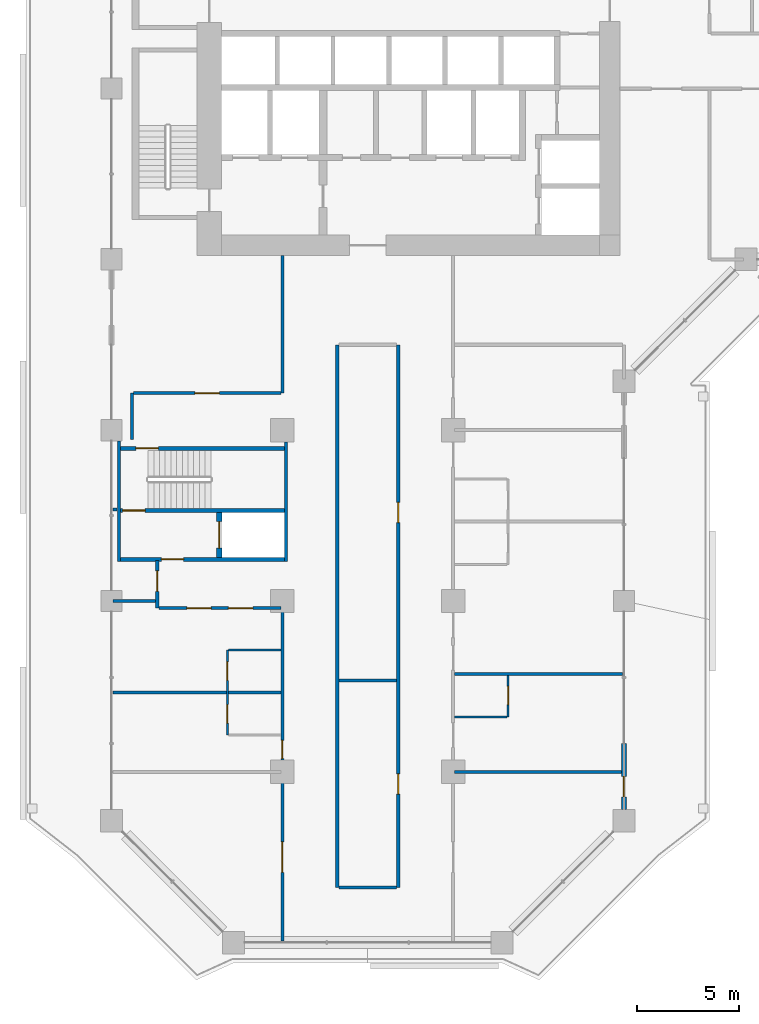
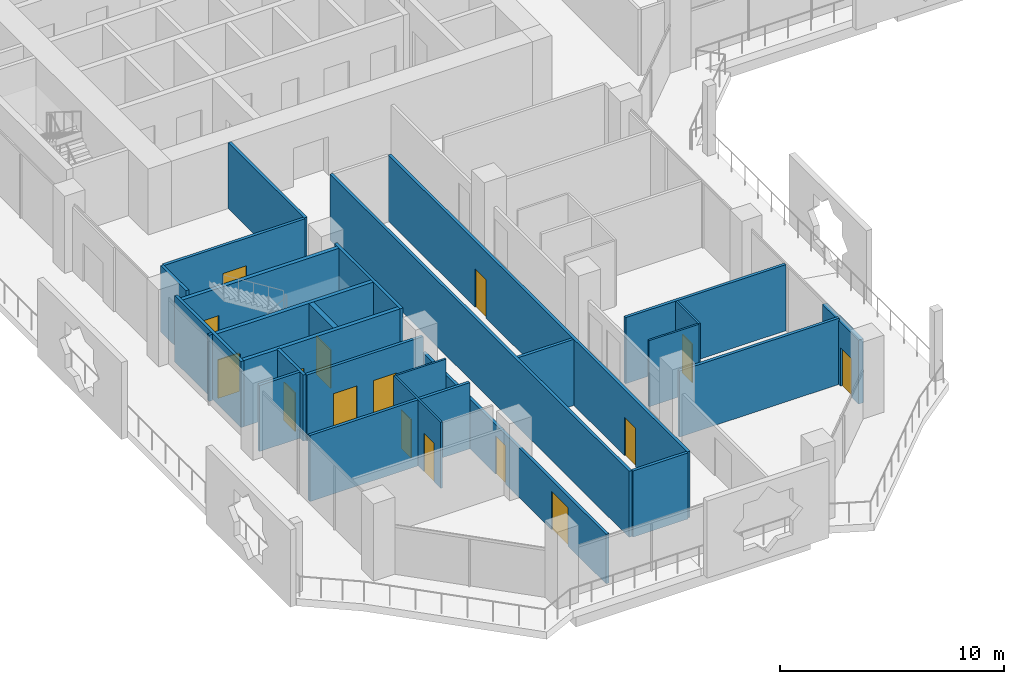
# One storey, part 13 of 25: 26 walls, 16 doors, 16 openings.
"""IFC4 building model written with IfcOpenShell, lengths in metres."""

import ifcopenshell
import ifcopenshell.guid

model = None  # the IFC model being written
_history = None  # IfcOwnerHistory: only IFC2X3 demands one
_inside = {}  # id of a spatial element -> (the spatial element, [elements in it])
_under = {}  # id of a project, library or spatial element -> (it, [spatial elements below it])
_declared = {}  # id of a project -> (the project, [libraries it declares])
_typed = {}  # id of a type object -> (the type object, [elements of that type])
_made_of = {}  # id of a material, layer set ... -> (it, [elements and type objects made of it])


def new_model(schema):
    """Start an empty IFC model of exactly this schema.

    Asked for "IFC4X3", IfcOpenShell would pick the latest addendum, in which some entities
    have other attributes; the version numbers below select the first issue.
    IFC2X3 requires an IfcOwnerHistory on every rooted entity: one is made here for all.
    """
    global model, _history
    if schema == "IFC4X3":
        model = ifcopenshell.file(schema_version=(4, 3, 0, 0))
    else:
        model = ifcopenshell.file(schema=schema)
    _inside.clear()
    _under.clear()
    _declared.clear()
    _typed.clear()
    _made_of.clear()
    _history = None
    if model.schema == "IFC2X3":
        org = make("IfcOrganization", Name="unknown")
        user = make(
            "IfcPersonAndOrganization",
            ThePerson=make("IfcPerson", FamilyName="unknown"),
            TheOrganization=org,
        )
        app = make(
            "IfcApplication",
            ApplicationDeveloper=org,
            Version="unknown",
            ApplicationFullName="unknown",
            ApplicationIdentifier="unknown",
        )
        _history = make(
            "IfcOwnerHistory",
            OwningUser=user,
            OwningApplication=app,
            ChangeAction="ADDED",
            CreationDate=0,
        )
    return model


def make(cls, **values):
    """One entity of the class cls with the attributes given. An attribute that is None is left unset."""
    return model.create_entity(
        cls, **{name: value for name, value in values.items() if value is not None}
    )


def rooted(cls, **values):
    """An entity with a GlobalId (a new one), such as an element, a storey or a relation."""
    return make(cls, GlobalId=ifcopenshell.guid.new(), OwnerHistory=_history, **values)


def si_unit(unit_type, name, prefix=None):
    """IfcSIUnit, for example si_unit("LENGTHUNIT", "METRE", prefix="MILLI")."""
    return make("IfcSIUnit", UnitType=unit_type, Prefix=prefix, Name=name)


def assignment(units):
    """IfcUnitAssignment: the units of a project."""
    return None if units is None else make("IfcUnitAssignment", Units=units)


def point(xyz):
    """IfcCartesianPoint."""
    return None if xyz is None else make("IfcCartesianPoint", Coordinates=xyz)


def direction(xyz):
    """IfcDirection."""
    return None if xyz is None else make("IfcDirection", DirectionRatios=xyz)


def frame(location, z_axis=None, x_axis=None):
    """IfcAxis2Placement3D, a coordinate frame: its origin and axes. An axis left out is left unset."""
    return make(
        "IfcAxis2Placement3D",
        Location=point(location),
        Axis=direction(z_axis),
        RefDirection=direction(x_axis),
    )


def frame_2d(location, x_axis=None):
    """IfcAxis2Placement2D, a coordinate frame in the plane: its origin and x axis."""
    return make(
        "IfcAxis2Placement2D", Location=point(location), RefDirection=direction(x_axis)
    )


def origin():
    """The frame at (0, 0, 0) with its axes left unset."""
    return frame((0.0, 0.0, 0.0))


def place(relative_to, where):
    """IfcLocalPlacement: puts the frame where relative to a parent placement (None: the world)."""
    return make(
        "IfcLocalPlacement", PlacementRelTo=relative_to, RelativePlacement=where
    )


def context(
    kind, dimensions, precision=None, world=None, true_north=None, identifier=None
):
    """IfcGeometricRepresentationContext, for example the 3D "Model" context."""
    return make(
        "IfcGeometricRepresentationContext",
        ContextIdentifier=identifier,
        ContextType=kind,
        CoordinateSpaceDimension=dimensions,
        Precision=precision,
        WorldCoordinateSystem=world,
        TrueNorth=true_north,
    )


def subcontext(parent, identifier, kind, view, scale=None):
    """IfcGeometricRepresentationSubContext, for example "Body" below "Model"."""
    return make(
        "IfcGeometricRepresentationSubContext",
        ContextIdentifier=identifier,
        ContextType=kind,
        ParentContext=parent,
        TargetScale=scale,
        TargetView=view,
    )


def project(units=None, contexts=None):
    """IfcProject with its units and contexts."""
    return rooted(
        "IfcProject",
        Name="project",
        RepresentationContexts=contexts,
        UnitsInContext=assignment(units),
    )


def spatial(cls, under=None, at=None, **own):
    """A site, building, storey or space (cls), placed at a placement, below another one or the project."""
    s = rooted(cls, ObjectPlacement=at, **own)
    if under is not None:
        _under.setdefault(under.id(), (under, []))[1].append(s)
    return s


def profile(cls, at=None, kind="AREA", **sizes):
    """A parametric profile (cls). Its sizes go by their IFC names, for example OverallWidth=200.0."""
    return make(cls, ProfileType=kind, Position=at, **sizes)


def rectangle(**sizes):
    """IfcRectangleProfileDef."""
    return profile("IfcRectangleProfileDef", **sizes)


def extrude(swept, where, along, depth):
    """IfcExtrudedAreaSolid: the profile swept, set in the frame where, extruded along a direction by depth."""
    return make(
        "IfcExtrudedAreaSolid",
        SweptArea=swept,
        Position=where,
        ExtrudedDirection=direction(along),
        Depth=depth,
    )


def shape(context_of_items, identifier, shape_type, items):
    """IfcShapeRepresentation: the items that make up one representation, for example the "Body"."""
    return make(
        "IfcShapeRepresentation",
        ContextOfItems=context_of_items,
        RepresentationIdentifier=identifier,
        RepresentationType=shape_type,
        Items=items,
    )


def material(Name=None, Category=None):
    """IfcMaterial."""
    return make("IfcMaterial", Name=Name, Category=Category)


def layer(
    of_material, thickness, ventilated=None, Name=None, Category=None, Priority=None
):
    """IfcMaterialLayer: one layer of a wall or slab, of a material (None: an air gap)."""
    return make(
        "IfcMaterialLayer",
        Material=of_material,
        LayerThickness=thickness,
        IsVentilated=ventilated,
        Name=Name,
        Category=Category,
        Priority=Priority,
    )


def layer_set(layers, Name=None):
    """IfcMaterialLayerSet."""
    return make("IfcMaterialLayerSet", MaterialLayers=layers, LayerSetName=Name)


def made_of(thing, what):
    """Note that an element or type object is made of a material, layer set ...; save() writes the relation."""
    if what is not None:
        _made_of.setdefault(what.id(), (what, []))[1].append(thing)
    return thing


def type_object(cls, material=None, **own):
    """A type object (cls), such as IfcWallType, which elements share."""
    return made_of(rooted(cls, **own), material)


def element(
    cls,
    number,
    at=None,
    inside=None,
    cuts=None,
    type_object=None,
    material=None,
    context=None,
    identifier="Body",
    shape_type=None,
    held_by="IfcProductDefinitionShape",
    body=None,
    shapes=None,
    **own,
):
    """One element of the class cls, such as IfcWall. Its Tag is "e" and its number.

    at: its placement. inside: the storey or other place that contains it. cuts: it is an
    opening in that element (IfcRelVoidsElement). A single representation is given by context,
    identifier, shape_type and body (its items); several are given by shapes. held_by: the class
    of the entity that holds the representations. save() writes the other relations.
    """
    e = rooted(cls, Tag="e%d" % number, ObjectPlacement=at, **own)
    if body is not None:
        shapes = [shape(context, identifier, shape_type, body)]
    if shapes is not None:
        e.Representation = make(held_by, Representations=shapes)
    if inside is not None:
        _inside.setdefault(inside.id(), (inside, []))[1].append(e)
    if cuts is not None:
        rooted(
            "IfcRelVoidsElement", RelatingBuildingElement=cuts, RelatedOpeningElement=e
        )
    if type_object is not None:
        _typed.setdefault(type_object.id(), (type_object, []))[1].append(e)
    return made_of(e, material)


def fill(opening, filler):
    """IfcRelFillsElement: the door or window that sits in an opening."""
    return rooted(
        "IfcRelFillsElement",
        RelatingOpeningElement=opening,
        RelatedBuildingElement=filler,
    )


def aggregate(whole, parts):
    """IfcRelAggregates: a whole, such as a stair, and the parts it consists of."""
    return rooted("IfcRelAggregates", RelatingObject=whole, RelatedObjects=parts)


def save(model, path):
    """Write the relations noted so far, then the file.

    IfcRelAggregates (storeys below a building ...), IfcRelContainedInSpatialStructure (elements
    in a storey), IfcRelDefinesByType, IfcRelAssociatesMaterial and IfcRelDeclares: one each for
    every whole, place, type object, material and project.
    """
    for whole, parts in _under.values():
        aggregate(whole, parts)
    for where, things in _inside.values():
        rooted(
            "IfcRelContainedInSpatialStructure",
            RelatedElements=things,
            RelatingStructure=where,
        )
    for kind, things in _typed.values():
        rooted("IfcRelDefinesByType", RelatedObjects=things, RelatingType=kind)
    for what, things in _made_of.values():
        rooted("IfcRelAssociatesMaterial", RelatedObjects=things, RelatingMaterial=what)
    for by, libraries in _declared.values():
        rooted("IfcRelDeclares", RelatingContext=by, RelatedDefinitions=libraries)
    model.write(path)


model = new_model("IFC4")

# Units and contexts
model_context = context("Model", 3, precision=1e-05, world=origin(), true_north=direction((0.0, 1.0)))
body_context = subcontext(model_context, "Body", "Model", "MODEL_VIEW")
ifc_project = project(units=[si_unit("LENGTHUNIT", "METRE"), si_unit("AREAUNIT", "SQUARE_METRE"), si_unit("VOLUMEUNIT", "CUBIC_METRE"), si_unit("PLANEANGLEUNIT", "RADIAN"), si_unit("MASSUNIT", "GRAM", prefix="KILO")], contexts=[model_context])

# Site, building, storey
site_placement = place(None, origin())
site = spatial("IfcSite", under=ifc_project, at=site_placement, CompositionType="ELEMENT")
building_placement = place(site_placement, origin())
building = spatial("IfcBuilding", under=site, at=building_placement, Name="Kawkab Arch Medical Tower", CompositionType="ELEMENT")
storey_placement = place(building_placement, frame((0.0, 0.0, 111.39990234375)))
storey = spatial("IfcBuildingStorey", under=building, at=storey_placement, Name="L25", CompositionType="ELEMENT", Elevation=111.39990234375)

# Wall, opening, door
ifc_material_1 = material(Name="Concrete C60/75", Category="concrete")
ifc_layer_1 = layer(ifc_material_1, 0.25)
ifc_layer_set_1 = layer_set([ifc_layer_1], Name="Concrete C60/75")
wall_type_1 = type_object("IfcWallType", Name="Core shear wall 250 C60/75", PredefinedType="SHEAR", material=ifc_layer_set_1)
wall_1_placement = place(storey_placement, frame((5.300048828125, -39.85009765625, 0.0), z_axis=(0.0, 0.0, 1.0), x_axis=(0.0, 1.0, 0.0)))
wall_1 = element("IfcWall", 1, at=wall_1_placement, inside=storey, type_object=wall_type_1, Name="L25 core shear wall", PredefinedType="SHEAR", context=body_context, shape_type="SweptSolid", body=[
    extrude(rectangle(XDim=2.2001953125, YDim=0.25, at=frame_2d((1.10009765625, 0.0))), origin(), (0.0, 0.0, 1.0), 3.60009765625),
])
opening_1_placement = place(wall_1_placement, frame((0.449951171875, 0.0, 0.0)))
opening_1 = element("IfcOpeningElement", 2, at=opening_1_placement, cuts=wall_1, Name="Opening LD2", PredefinedType="OPENING", context=body_context, shape_type="SweptSolid", body=[
    extrude(rectangle(XDim=1.300048828125, YDim=2.10009765625, at=frame_2d((0.64990234375, 1.050048828125))), frame((0.0, 0.135009765625, 0.0), z_axis=(0.0, -1.0, 0.0), x_axis=(1.0, 0.0, 0.0)), (0.0, 0.0, 1.0), 0.27001953125),
])
ifc_material_2 = material(Name="Stainless steel lift door leaf", Category="steel")
door_type_1 = type_object("IfcDoorType", Name="Lift landing door 1300", OperationType="DOUBLE_DOOR_SLIDING", PredefinedType="DOOR", material=ifc_material_2)
door_1_placement = place(opening_1_placement, origin())
door_1 = element("IfcDoor", 3, at=door_1_placement, inside=storey, type_object=door_type_1, Name="L25 Lift landing door SV2", OperationType="DOUBLE_DOOR_SLIDING", OverallHeight=2.10009765625, OverallWidth=1.300048828125, PredefinedType="DOOR", context=body_context, shape_type="SweptSolid", body=[
    extrude(rectangle(XDim=1.300048828125, YDim=2.10009765625, at=frame_2d((0.64990234375, 1.050048828125))), frame((0.0, 0.02490234375, 0.0), z_axis=(0.0, -1.0, 0.0), x_axis=(1.0, 0.0, 0.0)), (0.0, 0.0, 1.0), 0.050048828125),
])
fill(opening_1, door_1)

ifc_material_3 = material(Name="Bronze clad insulated wall panel")
ifc_layer_2 = layer(ifc_material_3, 0.25)
ifc_layer_set_2 = layer_set([ifc_layer_2], Name="Bronze clad insulated wall panel")
wall_type_2 = type_object("IfcWallType", Name="External wall bay 250", PredefinedType="SOLIDWALL", material=ifc_layer_set_2)
wall_2_placement = place(storey_placement, frame((25.199951171875, -52.25, 0.0), z_axis=(0.0, 0.0, 1.0), x_axis=(0.0, 1.0, 0.0)))
wall_2 = element("IfcWall", 4, at=wall_2_placement, inside=storey, type_object=wall_type_2, Name="External wall bay L25.R05.1.1", PredefinedType="SOLIDWALL", context=body_context, shape_type="SweptSolid", body=[
    extrude(rectangle(XDim=3.24169921875, YDim=0.25, at=frame_2d((1.620849609375, 0.0))), origin(), (0.0, 0.0, 1.0), 3.47998046875),
])
opening_2_placement = place(wall_2_placement, frame((0.620849609375, 0.0, 0.0)))
opening_2 = element("IfcOpeningElement", 5, at=opening_2_placement, cuts=wall_2, Name="Opening W25-702", PredefinedType="OPENING", context=body_context, shape_type="SweptSolid", body=[
    extrude(rectangle(XDim=1.0, YDim=2.10009765625, at=frame_2d((0.5, 1.050048828125))), frame((0.0, 0.135009765625, 0.0), z_axis=(0.0, -1.0, 0.0), x_axis=(1.0, 0.0, 0.0)), (0.0, 0.0, 1.0), 0.27001953125),
])
ifc_material_4 = material(Name="Bronze anodised aluminium door with tinted glass", Category="aluminium")
door_type_2 = type_object("IfcDoorType", Name="Single external door 1000 x 2100", OperationType="SINGLE_SWING_LEFT", PredefinedType="DOOR", material=ifc_material_4)
door_2_placement = place(opening_2_placement, origin())
door_2 = element("IfcDoor", 6, at=door_2_placement, inside=storey, type_object=door_type_2, Name="External door L25.R05.1.1", OperationType="SINGLE_SWING_LEFT", OverallHeight=2.10009765625, OverallWidth=1.0, PredefinedType="DOOR", context=body_context, shape_type="SweptSolid", body=[
    extrude(rectangle(XDim=1.0, YDim=2.10009765625, at=frame_2d((0.5, 1.050048828125))), frame((0.0, 0.02490234375, 0.0), z_axis=(0.0, -1.0, 0.0), x_axis=(1.0, 0.0, 0.0)), (0.0, 0.0, 1.0), 0.050048828125),
])
fill(opening_2, door_2)

# Walls
ifc_material_5 = material(Name="Gypsum board partition on steel studs", Category="steel")
ifc_layer_3 = layer(ifc_material_5, 0.10009765625)
ifc_layer_set_3 = layer_set([ifc_layer_3], Name="Gypsum board partition on steel studs")
wall_type_3 = type_object("IfcWallType", Name="Partition 100", PredefinedType="PARTITIONING", material=ifc_layer_set_3)
for number, where, z_axis, x_axis, name in (
    (7, (16.875, -47.699951171875, 0.0), (0.0, 0.0, 1.0), (1.0, 0.0, 0.0), "Partition 100 w002"),
    (8, (5.75, -44.39990234375, 0.0), (0.0, 0.0, 1.0), (1.0, 0.0, 0.0), "Partition 100 w003"),
):
    element("IfcWall", number, at=place(storey_placement, frame(where, z_axis=z_axis, x_axis=x_axis)), inside=storey, type_object=wall_type_3, Name=name, PredefinedType="PARTITIONING", context=body_context, shape_type="SweptSolid", body=[
        extrude(rectangle(XDim=2.574951171875, YDim=0.10009765625, at=frame_2d((1.28759765625, 0.0))), origin(), (0.0, 0.0, 1.0), 3.60009765625),
    ])

# Wall, openings, doors
wall_3_placement = place(storey_placement, frame((5.699951171875, -48.60009765625, 0.0), z_axis=(0.0, 0.0, 1.0), x_axis=(0.0, 1.0, 0.0)))
wall_3 = element("IfcWall", 9, at=wall_3_placement, inside=storey, type_object=wall_type_3, Name="Partition 100 w015", PredefinedType="PARTITIONING", context=body_context, shape_type="SweptSolid", body=[
    extrude(rectangle(XDim=4.2001953125, YDim=0.10009765625, at=frame_2d((2.10009765625, 0.0))), origin(), (0.0, 0.0, 1.0), 3.60009765625),
])
opening_3_placement = place(wall_3_placement, frame((2.699951171875, 0.0, 0.0)))
opening_3 = element("IfcOpeningElement", 10, at=opening_3_placement, cuts=wall_3, Name="Opening W25-016", PredefinedType="OPENING", context=body_context, shape_type="SweptSolid", body=[
    extrude(rectangle(XDim=0.89990234375, YDim=2.10009765625, at=frame_2d((0.449951171875, 1.050048828125))), frame((0.0, 0.06005859375, 0.0), z_axis=(0.0, -1.0, 0.0), x_axis=(1.0, 0.0, 0.0)), (0.0, 0.0, 1.0), 0.1201171875),
])
opening_4_placement = place(wall_3_placement, frame((0.60009765625, 0.0, 0.0)))
opening_4 = element("IfcOpeningElement", 11, at=opening_4_placement, cuts=wall_3, Name="Opening W25-017", PredefinedType="OPENING", context=body_context, shape_type="SweptSolid", body=[
    extrude(rectangle(XDim=0.89990234375, YDim=2.10009765625, at=frame_2d((0.449951171875, 1.050048828125))), frame((0.0, 0.06005859375, 0.0), z_axis=(0.0, -1.0, 0.0), x_axis=(1.0, 0.0, 0.0)), (0.0, 0.0, 1.0), 0.1201171875),
])
ifc_material_6 = material(Name="Timber door leaf", Category="wood")
door_type_3 = type_object("IfcDoorType", Name="Single door 900x2100", OperationType="NOTDEFINED", PredefinedType="DOOR", material=ifc_material_6)
door_3_placement = place(opening_3_placement, origin())
door_3 = element("IfcDoor", 12, at=door_3_placement, inside=storey, type_object=door_type_3, Name="Door W25-016", OperationType="SINGLE_SWING_RIGHT", OverallHeight=2.10009765625, OverallWidth=0.89990234375, PredefinedType="DOOR", context=body_context, shape_type="SweptSolid", body=[
    extrude(rectangle(XDim=0.89990234375, YDim=2.10009765625, at=frame_2d((0.449951171875, 1.050048828125))), frame((0.0, 0.02490234375, 0.0), z_axis=(0.0, -1.0, 0.0), x_axis=(1.0, 0.0, 0.0)), (0.0, 0.0, 1.0), 0.050048828125),
])
fill(opening_3, door_3)
door_4_placement = place(opening_4_placement, origin())
door_4 = element("IfcDoor", 13, at=door_4_placement, inside=storey, type_object=door_type_3, Name="Door W25-017", OperationType="SINGLE_SWING_LEFT", OverallHeight=2.10009765625, OverallWidth=0.89990234375, PredefinedType="DOOR", context=body_context, shape_type="SweptSolid", body=[
    extrude(rectangle(XDim=0.89990234375, YDim=2.10009765625, at=frame_2d((0.449951171875, 1.050048828125))), frame((0.0, 0.02490234375, 0.0), z_axis=(0.0, -1.0, 0.0), x_axis=(1.0, 0.0, 0.0)), (0.0, 0.0, 1.0), 0.050048828125),
])
fill(opening_4, door_4)

# Wall, opening, door
wall_4_placement = place(storey_placement, frame((19.5, -47.699951171875, 0.0), z_axis=(0.0, 0.0, 1.0), x_axis=(0.0, 1.0, 0.0)))
wall_4 = element("IfcWall", 14, at=wall_4_placement, inside=storey, type_object=wall_type_3, Name="Partition 100 w016", PredefinedType="PARTITIONING", context=body_context, shape_type="SweptSolid", body=[
    extrude(rectangle(XDim=2.02490234375, YDim=0.10009765625, at=frame_2d((1.012451171875, 0.0))), origin(), (0.0, 0.0, 1.0), 3.60009765625),
])
opening_5_placement = place(wall_4_placement, frame((0.60009765625, 0.0, 0.0)))
opening_5 = element("IfcOpeningElement", 15, at=opening_5_placement, cuts=wall_4, Name="Opening W25-020", PredefinedType="OPENING", context=body_context, shape_type="SweptSolid", body=[
    extrude(rectangle(XDim=0.89990234375, YDim=2.10009765625, at=frame_2d((0.449951171875, 1.050048828125))), frame((0.0, 0.06005859375, 0.0), z_axis=(0.0, -1.0, 0.0), x_axis=(1.0, 0.0, 0.0)), (0.0, 0.0, 1.0), 0.1201171875),
])
door_5_placement = place(opening_5_placement, origin())
door_5 = element("IfcDoor", 16, at=door_5_placement, inside=storey, type_object=door_type_3, Name="Door W25-020", OperationType="SINGLE_SWING_RIGHT", OverallHeight=2.10009765625, OverallWidth=0.89990234375, PredefinedType="DOOR", context=body_context, shape_type="SweptSolid", body=[
    extrude(rectangle(XDim=0.89990234375, YDim=2.10009765625, at=frame_2d((0.449951171875, 1.050048828125))), frame((0.0, 0.02490234375, 0.0), z_axis=(0.0, -1.0, 0.0), x_axis=(1.0, 0.0, 0.0)), (0.0, 0.0, 1.0), 0.050048828125),
])
fill(opening_5, door_5)

# Walls
ifc_material_7 = material(Name="Gypsum board partition on steel studs, mineral wool", Category="steel")
ifc_layer_4 = layer(ifc_material_7, 0.14990234375)
ifc_layer_set_4 = layer_set([ifc_layer_4], Name="Gypsum board partition on steel studs, mineral wool")
wall_type_4 = type_object("IfcWallType", Name="Partition 150", PredefinedType="PARTITIONING", material=ifc_layer_set_4)
wall_5_placement = place(storey_placement, frame((11.175048828125, -56.10009765625, 0.0), z_axis=(0.0, 0.0, 1.0), x_axis=(1.0, 0.0, 0.0)))
element("IfcWall", 17, at=wall_5_placement, inside=storey, type_object=wall_type_4, Name="Partition 150 w028", PredefinedType="PARTITIONING", context=body_context, shape_type="SweptSolid", body=[
    extrude(rectangle(XDim=2.849853515625, YDim=0.14990234375, at=frame_2d((1.4248046875, 0.0))), origin(), (0.0, 0.0, 1.0), 3.60009765625),
])
wall_6_placement = place(storey_placement, frame((16.875, -50.39990234375, 0.0), z_axis=(0.0, 0.0, 1.0), x_axis=(1.0, 0.0, 0.0)))
element("IfcWall", 18, at=wall_6_placement, inside=storey, type_object=wall_type_4, Name="Partition 150 w030", PredefinedType="PARTITIONING", context=body_context, shape_type="SweptSolid", body=[
    extrude(rectangle(XDim=8.2451171875, YDim=0.14990234375, at=frame_2d((4.12255859375, 0.0))), origin(), (0.0, 0.0, 1.0), 3.60009765625),
])
wall_7_placement = place(storey_placement, frame((0.080078125, -46.5, 0.0), z_axis=(0.0, 0.0, 1.0), x_axis=(1.0, 0.0, 0.0)))
element("IfcWall", 19, at=wall_7_placement, inside=storey, type_object=wall_type_4, Name="Partition 150 w031", PredefinedType="PARTITIONING", context=body_context, shape_type="SweptSolid", body=[
    extrude(rectangle(XDim=8.244873046875, YDim=0.14990234375, at=frame_2d((4.12255859375, 0.0))), origin(), (0.0, 0.0, 1.0), 3.60009765625),
])
wall_8_placement = place(storey_placement, frame((11.175048828125, -45.89990234375, 0.0), z_axis=(0.0, 0.0, 1.0), x_axis=(1.0, 0.0, 0.0)))
element("IfcWall", 20, at=wall_8_placement, inside=storey, type_object=wall_type_4, Name="Partition 150 w032", PredefinedType="PARTITIONING", context=body_context, shape_type="SweptSolid", body=[
    extrude(rectangle(XDim=2.849853515625, YDim=0.14990234375, at=frame_2d((1.4248046875, 0.0))), origin(), (0.0, 0.0, 1.0), 3.60009765625),
])
wall_9_placement = place(storey_placement, frame((16.875, -45.60009765625, 0.0), z_axis=(0.0, 0.0, 1.0), x_axis=(1.0, 0.0, 0.0)))
element("IfcWall", 21, at=wall_9_placement, inside=storey, type_object=wall_type_4, Name="Partition 150 w033", PredefinedType="PARTITIONING", context=body_context, shape_type="SweptSolid", body=[
    extrude(rectangle(XDim=8.2451171875, YDim=0.14990234375, at=frame_2d((4.12255859375, 0.0))), origin(), (0.0, 0.0, 1.0), 3.60009765625),
])

# Wall, openings, doors
wall_10_placement = place(storey_placement, frame((2.324951171875, -42.35009765625, 0.0), z_axis=(0.0, 0.0, 1.0), x_axis=(1.0, 0.0, 0.0)))
wall_10 = element("IfcWall", 22, at=wall_10_placement, inside=storey, type_object=wall_type_4, Name="Partition 150 w034", PredefinedType="PARTITIONING", context=body_context, shape_type="SweptSolid", body=[
    extrude(rectangle(XDim=6.0, YDim=0.14990234375, at=frame_2d((3.0, 0.0))), origin(), (0.0, 0.0, 1.0), 3.60009765625),
])
opening_6_placement = place(wall_10_placement, frame((3.425048828125, 0.0, 0.0)))
opening_6 = element("IfcOpeningElement", 23, at=opening_6_placement, cuts=wall_10, Name="Opening W25-052", PredefinedType="OPENING", context=body_context, shape_type="SweptSolid", body=[
    extrude(rectangle(XDim=1.199951171875, YDim=2.10009765625, at=frame_2d((0.60009765625, 1.050048828125))), frame((0.0, 0.0849609375, 0.0), z_axis=(0.0, -1.0, 0.0), x_axis=(1.0, 0.0, 0.0)), (0.0, 0.0, 1.0), 0.169921875),
])
opening_7_placement = place(wall_10_placement, frame((1.375, 0.0, 0.0)))
opening_7 = element("IfcOpeningElement", 24, at=opening_7_placement, cuts=wall_10, Name="Opening W25-053", PredefinedType="OPENING", context=body_context, shape_type="SweptSolid", body=[
    extrude(rectangle(XDim=1.199951171875, YDim=2.10009765625, at=frame_2d((0.60009765625, 1.050048828125))), frame((0.0, 0.0849609375, 0.0), z_axis=(0.0, -1.0, 0.0), x_axis=(1.0, 0.0, 0.0)), (0.0, 0.0, 1.0), 0.169921875),
])
ifc_material_8 = material(Name="Hollow metal door leaf")
door_type_4 = type_object("IfcDoorType", Name="Single door 1200x2100 FD30S", OperationType="NOTDEFINED", PredefinedType="DOOR", material=ifc_material_8)
door_6_placement = place(opening_6_placement, origin())
door_6 = element("IfcDoor", 25, at=door_6_placement, inside=storey, type_object=door_type_4, Name="Door W25-052", OperationType="SINGLE_SWING_LEFT", OverallHeight=2.10009765625, OverallWidth=1.199951171875, PredefinedType="DOOR", context=body_context, shape_type="SweptSolid", body=[
    extrude(rectangle(XDim=1.199951171875, YDim=2.10009765625, at=frame_2d((0.60009765625, 1.050048828125))), frame((0.0, 0.02490234375, 0.0), z_axis=(0.0, -1.0, 0.0), x_axis=(1.0, 0.0, 0.0)), (0.0, 0.0, 1.0), 0.050048828125),
])
fill(opening_6, door_6)
door_7_placement = place(opening_7_placement, origin())
door_7 = element("IfcDoor", 26, at=door_7_placement, inside=storey, type_object=door_type_4, Name="Door W25-053", OperationType="SINGLE_SWING_RIGHT", OverallHeight=2.10009765625, OverallWidth=1.199951171875, PredefinedType="DOOR", context=body_context, shape_type="SweptSolid", body=[
    extrude(rectangle(XDim=1.199951171875, YDim=2.10009765625, at=frame_2d((0.60009765625, 1.050048828125))), frame((0.0, 0.02490234375, 0.0), z_axis=(0.0, -1.0, 0.0), x_axis=(1.0, 0.0, 0.0)), (0.0, 0.0, 1.0), 0.050048828125),
])
fill(opening_7, door_7)

# Walls
wall_11_placement = place(storey_placement, frame((0.080078125, -42.0, 0.0), z_axis=(0.0, 0.0, 1.0), x_axis=(1.0, 0.0, 0.0)))
element("IfcWall", 27, at=wall_11_placement, inside=storey, type_object=wall_type_4, Name="Partition 150 w035", PredefinedType="PARTITIONING", context=body_context, shape_type="SweptSolid", body=[
    extrude(rectangle(XDim=2.094970703125, YDim=0.14990234375, at=frame_2d((1.04736328125, 0.0))), origin(), (0.0, 0.0, 1.0), 3.60009765625),
])
wall_12_placement = place(storey_placement, frame((0.080078125, -37.5, 0.0), z_axis=(0.0, 0.0, 1.0), x_axis=(1.0, 0.0, 0.0)))
element("IfcWall", 28, at=wall_12_placement, inside=storey, type_object=wall_type_4, Name="Partition 150 w037", PredefinedType="PARTITIONING", context=body_context, shape_type="SweptSolid", body=[
    extrude(rectangle(XDim=0.18994140625, YDim=0.14990234375, at=frame_2d((0.094970703125, 0.0))), origin(), (0.0, 0.0, 1.0), 3.60009765625),
])

# Wall, opening, door
wall_13_placement = place(storey_placement, frame((1.075927734375, -31.781982421875, 0.0), z_axis=(0.0, 0.0, 1.0), x_axis=(1.0, 0.0, 0.0)))
wall_13 = element("IfcWall", 29, at=wall_13_placement, inside=storey, type_object=wall_type_4, Name="Partition 150 w039", PredefinedType="PARTITIONING", context=body_context, shape_type="SweptSolid", body=[
    extrude(rectangle(XDim=7.2490234375, YDim=0.14990234375, at=frame_2d((3.62451171875, 0.0))), origin(), (0.0, 0.0, 1.0), 3.60009765625),
])
opening_8_placement = place(wall_13_placement, frame((3.02490234375, 0.0, 0.0)))
opening_8 = element("IfcOpeningElement", 30, at=opening_8_placement, cuts=wall_13, Name="Opening W25-051", PredefinedType="OPENING", context=body_context, shape_type="SweptSolid", body=[
    extrude(rectangle(XDim=1.199951171875, YDim=2.10009765625, at=frame_2d((0.60009765625, 1.050048828125))), frame((0.0, 0.0849609375, 0.0), z_axis=(0.0, -1.0, 0.0), x_axis=(1.0, 0.0, 0.0)), (0.0, 0.0, 1.0), 0.169921875),
])
door_8_placement = place(opening_8_placement, origin())
door_8 = element("IfcDoor", 31, at=door_8_placement, inside=storey, type_object=door_type_4, Name="Door W25-051", OperationType="SINGLE_SWING_RIGHT", OverallHeight=2.10009765625, OverallWidth=1.199951171875, PredefinedType="DOOR", context=body_context, shape_type="SweptSolid", body=[
    extrude(rectangle(XDim=1.199951171875, YDim=2.10009765625, at=frame_2d((0.60009765625, 1.050048828125))), frame((0.0, 0.02490234375, 0.0), z_axis=(0.0, -1.0, 0.0), x_axis=(1.0, 0.0, 0.0)), (0.0, 0.0, 1.0), 0.050048828125),
])
fill(opening_8, door_8)

# Wall
wall_14_placement = place(storey_placement, frame((1.0, -34.048095703125, 0.0), z_axis=(0.0, 0.0, 1.0), x_axis=(0.0, 1.0, 0.0)))
element("IfcWall", 32, at=wall_14_placement, inside=storey, type_object=wall_type_4, Name="Partition 150 w054", PredefinedType="PARTITIONING", context=body_context, shape_type="SweptSolid", body=[
    extrude(rectangle(XDim=2.26416015625, YDim=0.14990234375, at=frame_2d((1.132080078125, 0.0))), origin(), (0.0, 0.0, 1.0), 3.60009765625),
])

# Wall, opening, door
wall_15_placement = place(storey_placement, frame((2.25, -42.35009765625, 0.0), z_axis=(0.0, 0.0, 1.0), x_axis=(0.0, 1.0, 0.0)))
wall_15 = element("IfcWall", 33, at=wall_15_placement, inside=storey, type_object=wall_type_4, Name="Partition 150 w055", PredefinedType="PARTITIONING", context=body_context, shape_type="SweptSolid", body=[
    extrude(rectangle(XDim=2.35009765625, YDim=0.14990234375, at=frame_2d((1.175048828125, 0.0))), origin(), (0.0, 0.0, 1.0), 3.60009765625),
])
opening_9_placement = place(wall_15_placement, frame((0.824951171875, 0.0, 0.0)))
opening_9 = element("IfcOpeningElement", 34, at=opening_9_placement, cuts=wall_15, Name="Opening W25-033", PredefinedType="OPENING", context=body_context, shape_type="SweptSolid", body=[
    extrude(rectangle(XDim=1.0, YDim=2.10009765625, at=frame_2d((0.5, 1.050048828125))), frame((0.0, 0.0849609375, 0.0), z_axis=(0.0, -1.0, 0.0), x_axis=(1.0, 0.0, 0.0)), (0.0, 0.0, 1.0), 0.169921875),
])
ifc_material_9 = material(Name="Hollow metal door leaf")
door_type_5 = type_object("IfcDoorType", Name="Single door 1000x2100 FD30S", OperationType="NOTDEFINED", PredefinedType="DOOR", material=ifc_material_9)
door_9_placement = place(opening_9_placement, origin())
door_9 = element("IfcDoor", 35, at=door_9_placement, inside=storey, type_object=door_type_5, Name="Door W25-033", OperationType="SINGLE_SWING_LEFT", OverallHeight=2.10009765625, OverallWidth=1.0, PredefinedType="DOOR", context=body_context, shape_type="SweptSolid", body=[
    extrude(rectangle(XDim=1.0, YDim=2.10009765625, at=frame_2d((0.5, 1.050048828125))), frame((0.0, 0.02490234375, 0.0), z_axis=(0.0, -1.0, 0.0), x_axis=(1.0, 0.0, 0.0)), (0.0, 0.0, 1.0), 0.050048828125),
])
fill(opening_9, door_9)

# Wall, openings, doors
wall_16_placement = place(storey_placement, frame((8.39990234375, -58.719970703125, 0.0), z_axis=(0.0, 0.0, 1.0), x_axis=(0.0, 1.0, 0.0)))
wall_16 = element("IfcWall", 36, at=wall_16_placement, inside=storey, type_object=wall_type_4, Name="Partition 150 w056", PredefinedType="PARTITIONING", context=body_context, shape_type="SweptSolid", body=[
    extrude(rectangle(XDim=16.369873046875, YDim=0.14990234375, at=frame_2d((8.18505859375, 0.0))), origin(), (0.0, 0.0, 1.0), 2.7001953125),
])
opening_10_placement = place(wall_16_placement, frame((8.969970703125, 0.0, 0.0)))
opening_10 = element("IfcOpeningElement", 37, at=opening_10_placement, cuts=wall_16, Name="Opening W25-022", PredefinedType="OPENING", context=body_context, shape_type="SweptSolid", body=[
    extrude(rectangle(XDim=0.89990234375, YDim=2.10009765625, at=frame_2d((0.449951171875, 1.050048828125))), frame((0.0, 0.0849609375, 0.0), z_axis=(0.0, -1.0, 0.0), x_axis=(1.0, 0.0, 0.0)), (0.0, 0.0, 1.0), 0.169921875),
])
opening_11_placement = place(wall_16_placement, frame((3.3701171875, 0.0, 0.0)))
opening_11 = element("IfcOpeningElement", 38, at=opening_11_placement, cuts=wall_16, Name="Opening W25-003", PredefinedType="OPENING", context=body_context, shape_type="SweptSolid", body=[
    extrude(rectangle(XDim=1.5, YDim=2.10009765625, at=frame_2d((0.75, 1.050048828125))), frame((0.0, 0.0849609375, 0.0), z_axis=(0.0, -1.0, 0.0), x_axis=(1.0, 0.0, 0.0)), (0.0, 0.0, 1.0), 0.169921875),
])
ifc_material_10 = material(Name="Hollow metal door leaf")
door_type_6 = type_object("IfcDoorType", Name="Double door 1500x2100 FD30S", OperationType="NOTDEFINED", PredefinedType="DOOR", material=ifc_material_10)
door_10_placement = place(opening_11_placement, origin())
door_10 = element("IfcDoor", 39, at=door_10_placement, inside=storey, type_object=door_type_6, Name="Door W25-003", OperationType="DOUBLE_DOOR_SINGLE_SWING", OverallHeight=2.10009765625, OverallWidth=1.5, PredefinedType="DOOR", context=body_context, shape_type="SweptSolid", body=[
    extrude(rectangle(XDim=1.5, YDim=2.10009765625, at=frame_2d((0.75, 1.050048828125))), frame((0.0, 0.02490234375, 0.0), z_axis=(0.0, -1.0, 0.0), x_axis=(1.0, 0.0, 0.0)), (0.0, 0.0, 1.0), 0.050048828125),
])
fill(opening_11, door_10)
ifc_material_11 = material(Name="Hollow metal door leaf")
door_type_7 = type_object("IfcDoorType", Name="Single door 900x2100 FD30S", OperationType="NOTDEFINED", PredefinedType="DOOR", material=ifc_material_11)
door_11_placement = place(opening_10_placement, origin())
door_11 = element("IfcDoor", 40, at=door_11_placement, inside=storey, type_object=door_type_7, Name="Door W25-022", OperationType="SINGLE_SWING_RIGHT", OverallHeight=2.10009765625, OverallWidth=0.89990234375, PredefinedType="DOOR", context=body_context, shape_type="SweptSolid", body=[
    extrude(rectangle(XDim=0.89990234375, YDim=2.10009765625, at=frame_2d((0.449951171875, 1.050048828125))), frame((0.0, 0.02490234375, 0.0), z_axis=(0.0, -1.0, 0.0), x_axis=(1.0, 0.0, 0.0)), (0.0, 0.0, 1.0), 0.050048828125),
])
fill(opening_10, door_11)

# Walls
wall_17_placement = place(storey_placement, frame((8.39990234375, -31.781982421875, 0.0), z_axis=(0.0, 0.0, 1.0), x_axis=(0.0, 1.0, 0.0)))
element("IfcWall", 41, at=wall_17_placement, inside=storey, type_object=wall_type_4, Name="Partition 150 w057", PredefinedType="PARTITIONING", context=body_context, shape_type="SweptSolid", body=[
    extrude(rectangle(XDim=6.781982421875, YDim=0.14990234375, at=frame_2d((3.39111328125, 0.0))), origin(), (0.0, 0.0, 1.0), 3.60009765625),
])
wall_18_placement = place(storey_placement, frame((11.10009765625, -56.10009765625, 0.0), z_axis=(0.0, 0.0, 1.0), x_axis=(0.0, 1.0, 0.0)))
element("IfcWall", 42, at=wall_18_placement, inside=storey, type_object=wall_type_4, Name="Partition 150 w058", PredefinedType="PARTITIONING", context=body_context, shape_type="SweptSolid", body=[
    extrude(rectangle(XDim=26.7001953125, YDim=0.14990234375, at=frame_2d((13.35009765625, 0.0))), origin(), (0.0, 0.0, 1.0), 3.60009765625),
])

# Wall, openings, doors
wall_19_placement = place(storey_placement, frame((14.10009765625, -56.10009765625, 0.0), z_axis=(0.0, 0.0, 1.0), x_axis=(0.0, 1.0, 0.0)))
wall_19 = element("IfcWall", 43, at=wall_19_placement, inside=storey, type_object=wall_type_4, Name="Partition 150 w059", PredefinedType="PARTITIONING", context=body_context, shape_type="SweptSolid", body=[
    extrude(rectangle(XDim=26.7001953125, YDim=0.14990234375, at=frame_2d((13.35009765625, 0.0))), origin(), (0.0, 0.0, 1.0), 3.60009765625),
])
opening_12_placement = place(wall_19_placement, frame((17.949951171875, 0.0, 0.0)))
opening_12 = element("IfcOpeningElement", 44, at=opening_12_placement, cuts=wall_19, Name="Opening W25-034", PredefinedType="OPENING", context=body_context, shape_type="SweptSolid", body=[
    extrude(rectangle(XDim=1.0, YDim=2.10009765625, at=frame_2d((0.5, 1.050048828125))), frame((0.0, 0.0849609375, 0.0), z_axis=(0.0, -1.0, 0.0), x_axis=(1.0, 0.0, 0.0)), (0.0, 0.0, 1.0), 0.169921875),
])
opening_13_placement = place(wall_19_placement, frame((4.60009765625, 0.0, 0.0)))
opening_13 = element("IfcOpeningElement", 45, at=opening_13_placement, cuts=wall_19, Name="Opening W25-035", PredefinedType="OPENING", context=body_context, shape_type="SweptSolid", body=[
    extrude(rectangle(XDim=1.0, YDim=2.10009765625, at=frame_2d((0.5, 1.050048828125))), frame((0.0, 0.0849609375, 0.0), z_axis=(0.0, -1.0, 0.0), x_axis=(1.0, 0.0, 0.0)), (0.0, 0.0, 1.0), 0.169921875),
])
door_12_placement = place(opening_12_placement, origin())
door_12 = element("IfcDoor", 46, at=door_12_placement, inside=storey, type_object=door_type_5, Name="Door W25-034", OperationType="SINGLE_SWING_RIGHT", OverallHeight=2.10009765625, OverallWidth=1.0, PredefinedType="DOOR", context=body_context, shape_type="SweptSolid", body=[
    extrude(rectangle(XDim=1.0, YDim=2.10009765625, at=frame_2d((0.5, 1.050048828125))), frame((0.0, 0.02490234375, 0.0), z_axis=(0.0, -1.0, 0.0), x_axis=(1.0, 0.0, 0.0)), (0.0, 0.0, 1.0), 0.050048828125),
])
fill(opening_12, door_12)
door_13_placement = place(opening_13_placement, origin())
door_13 = element("IfcDoor", 47, at=door_13_placement, inside=storey, type_object=door_type_5, Name="Door W25-035", OperationType="SINGLE_SWING_LEFT", OverallHeight=2.10009765625, OverallWidth=1.0, PredefinedType="DOOR", context=body_context, shape_type="SweptSolid", body=[
    extrude(rectangle(XDim=1.0, YDim=2.10009765625, at=frame_2d((0.5, 1.050048828125))), frame((0.0, 0.02490234375, 0.0), z_axis=(0.0, -1.0, 0.0), x_axis=(1.0, 0.0, 0.0)), (0.0, 0.0, 1.0), 0.050048828125),
])
fill(opening_13, door_13)

# Walls
ifc_material_12 = material(Name="Concrete C50/60", Category="concrete")
ifc_layer_5 = layer(ifc_material_12, 0.14990234375)
ifc_layer_set_5 = layer_set([ifc_layer_5], Name="Concrete C50/60")
wall_type_5 = type_object("IfcWallType", Name="Stair enclosure wall 150 C50/60", PredefinedType="SHEAR", material=ifc_layer_set_5)
wall_20_placement = place(storey_placement, frame((0.375, -40.050048828125, 0.0), z_axis=(0.0, 0.0, 1.0), x_axis=(0.0, 1.0, 0.0)))
element("IfcWall", 48, at=wall_20_placement, inside=storey, type_object=wall_type_5, Name="L25 stair enclosure wall", PredefinedType="SHEAR", context=body_context, shape_type="SweptSolid", body=[
    extrude(rectangle(XDim=5.925048828125, YDim=0.14990234375, at=frame_2d((2.96240234375, 0.0))), origin(), (0.0, 0.0, 1.0), 3.60009765625),
])
wall_21_placement = place(storey_placement, frame((8.574951171875, -40.050048828125, 0.0), z_axis=(0.0, 0.0, 1.0), x_axis=(0.0, 1.0, 0.0)))
element("IfcWall", 49, at=wall_21_placement, inside=storey, type_object=wall_type_5, Name="L25 stair enclosure wall", PredefinedType="SHEAR", context=body_context, shape_type="SweptSolid", body=[
    extrude(rectangle(XDim=5.875, YDim=0.14990234375, at=frame_2d((2.9375, 0.0))), origin(), (0.0, 0.0, 1.0), 3.60009765625),
])

# Wall, opening, door
ifc_material_13 = material(Name="Concrete C50/60", Category="concrete")
ifc_layer_6 = layer(ifc_material_13, 0.199951171875)
ifc_layer_set_6 = layer_set([ifc_layer_6], Name="Concrete C50/60")
wall_type_6 = type_object("IfcWallType", Name="Stair enclosure wall 200 C50/60", PredefinedType="SHEAR", material=ifc_layer_set_6)
wall_22_placement = place(storey_placement, frame((0.449951171875, -34.5, 0.0), z_axis=(0.0, 0.0, 1.0), x_axis=(1.0, 0.0, 0.0)))
wall_22 = element("IfcWall", 50, at=wall_22_placement, inside=storey, type_object=wall_type_6, Name="L25 stair enclosure wall", PredefinedType="SHEAR", context=body_context, shape_type="SweptSolid", body=[
    extrude(rectangle(XDim=8.050048828125, YDim=0.199951171875, at=frame_2d((4.02490234375, 0.0))), origin(), (0.0, 0.0, 1.0), 3.60009765625),
])
opening_14_placement = place(wall_22_placement, frame((0.75, 0.0, 0.0)))
opening_14 = element("IfcOpeningElement", 51, at=opening_14_placement, cuts=wall_22, Name="Opening SD", PredefinedType="OPENING", context=body_context, shape_type="SweptSolid", body=[
    extrude(rectangle(XDim=1.10009765625, YDim=2.10009765625, at=frame_2d((0.550048828125, 1.050048828125))), frame((0.0, 0.10986328125, 0.0), z_axis=(0.0, -1.0, 0.0), x_axis=(1.0, 0.0, 0.0)), (0.0, 0.0, 1.0), 0.219970703125),
])
ifc_material_14 = material(Name="Hollow metal fire door leaf")
door_type_8 = type_object("IfcDoorType", Name="Exit stair door 1100", OperationType="SINGLE_SWING_LEFT", PredefinedType="DOOR", material=ifc_material_14)
door_14_placement = place(opening_14_placement, origin())
door_14 = element("IfcDoor", 52, at=door_14_placement, inside=storey, type_object=door_type_8, Name="L25 Exit stair ST6 door", OperationType="SINGLE_SWING_LEFT", OverallHeight=2.10009765625, OverallWidth=1.10009765625, PredefinedType="DOOR", context=body_context, shape_type="SweptSolid", body=[
    extrude(rectangle(XDim=1.10009765625, YDim=2.10009765625, at=frame_2d((0.550048828125, 1.050048828125))), frame((0.0, 0.02490234375, 0.0), z_axis=(0.0, -1.0, 0.0), x_axis=(1.0, 0.0, 0.0)), (0.0, 0.0, 1.0), 0.050048828125),
])
fill(opening_14, door_14)

wall_23_placement = place(storey_placement, frame((0.449951171875, -37.550048828125, 0.0), z_axis=(0.0, 0.0, 1.0), x_axis=(1.0, 0.0, 0.0)))
wall_23 = element("IfcWall", 53, at=wall_23_placement, inside=storey, type_object=wall_type_6, Name="L25 stair enclosure wall", PredefinedType="SHEAR", context=body_context, shape_type="SweptSolid", body=[
    extrude(rectangle(XDim=8.050048828125, YDim=0.199951171875, at=frame_2d((4.02490234375, 0.0))), origin(), (0.0, 0.0, 1.0), 3.60009765625),
])
opening_15_placement = place(wall_23_placement, frame((0.10009765625, 0.0, 0.0)))
opening_15 = element("IfcOpeningElement", 54, at=opening_15_placement, cuts=wall_23, Name="Opening SD", PredefinedType="OPENING", context=body_context, shape_type="SweptSolid", body=[
    extrude(rectangle(XDim=1.10009765625, YDim=2.10009765625, at=frame_2d((0.550048828125, 1.050048828125))), frame((0.0, 0.10986328125, 0.0), z_axis=(0.0, -1.0, 0.0), x_axis=(1.0, 0.0, 0.0)), (0.0, 0.0, 1.0), 0.219970703125),
])
door_15_placement = place(opening_15_placement, frame((1.10009765625, 0.0, 0.0), z_axis=(0.0, 0.0, 1.0), x_axis=(-1.0, 0.0, 0.0)))
door_15 = element("IfcDoor", 55, at=door_15_placement, inside=storey, type_object=door_type_8, Name="L25 Exit stair ST6 lobby door", OperationType="SINGLE_SWING_LEFT", OverallHeight=2.10009765625, OverallWidth=1.10009765625, PredefinedType="DOOR", context=body_context, shape_type="SweptSolid", body=[
    extrude(rectangle(XDim=1.10009765625, YDim=2.10009765625, at=frame_2d((0.550048828125, 1.050048828125))), frame((0.0, 0.02490234375, 0.0), z_axis=(0.0, -1.0, 0.0), x_axis=(1.0, 0.0, 0.0)), (0.0, 0.0, 1.0), 0.050048828125),
])
fill(opening_15, door_15)

wall_24_placement = place(storey_placement, frame((0.449951171875, -39.949951171875, 0.0), z_axis=(0.0, 0.0, 1.0), x_axis=(1.0, 0.0, 0.0)))
wall_24 = element("IfcWall", 56, at=wall_24_placement, inside=storey, type_object=wall_type_6, Name="L25 stair enclosure wall", PredefinedType="SHEAR", context=body_context, shape_type="SweptSolid", body=[
    extrude(rectangle(XDim=8.050048828125, YDim=0.199951171875, at=frame_2d((4.02490234375, 0.0))), origin(), (0.0, 0.0, 1.0), 3.60009765625),
])
opening_16_placement = place(wall_24_placement, frame((2.0, 0.0, 0.0)))
opening_16 = element("IfcOpeningElement", 57, at=opening_16_placement, cuts=wall_24, Name="Opening FD", PredefinedType="OPENING", context=body_context, shape_type="SweptSolid", body=[
    extrude(rectangle(XDim=1.10009765625, YDim=2.10009765625, at=frame_2d((0.550048828125, 1.050048828125))), frame((0.0, 0.10986328125, 0.0), z_axis=(0.0, -1.0, 0.0), x_axis=(1.0, 0.0, 0.0)), (0.0, 0.0, 1.0), 0.219970703125),
])
ifc_material_15 = material(Name="Hollow metal fire door leaf")
door_type_9 = type_object("IfcDoorType", Name="Firefighting lobby door 1100", OperationType="SINGLE_SWING_LEFT", PredefinedType="DOOR", material=ifc_material_15)
door_16_placement = place(opening_16_placement, origin())
door_16 = element("IfcDoor", 58, at=door_16_placement, inside=storey, type_object=door_type_9, Name="L25 Service lift lobby door SV2", OperationType="SINGLE_SWING_LEFT", OverallHeight=2.10009765625, OverallWidth=1.10009765625, PredefinedType="DOOR", context=body_context, shape_type="SweptSolid", body=[
    extrude(rectangle(XDim=1.10009765625, YDim=2.10009765625, at=frame_2d((0.550048828125, 1.050048828125))), frame((0.0, 0.02490234375, 0.0), z_axis=(0.0, -1.0, 0.0), x_axis=(1.0, 0.0, 0.0)), (0.0, 0.0, 1.0), 0.050048828125),
])
fill(opening_16, door_16)

save(model, "model.ifc")
